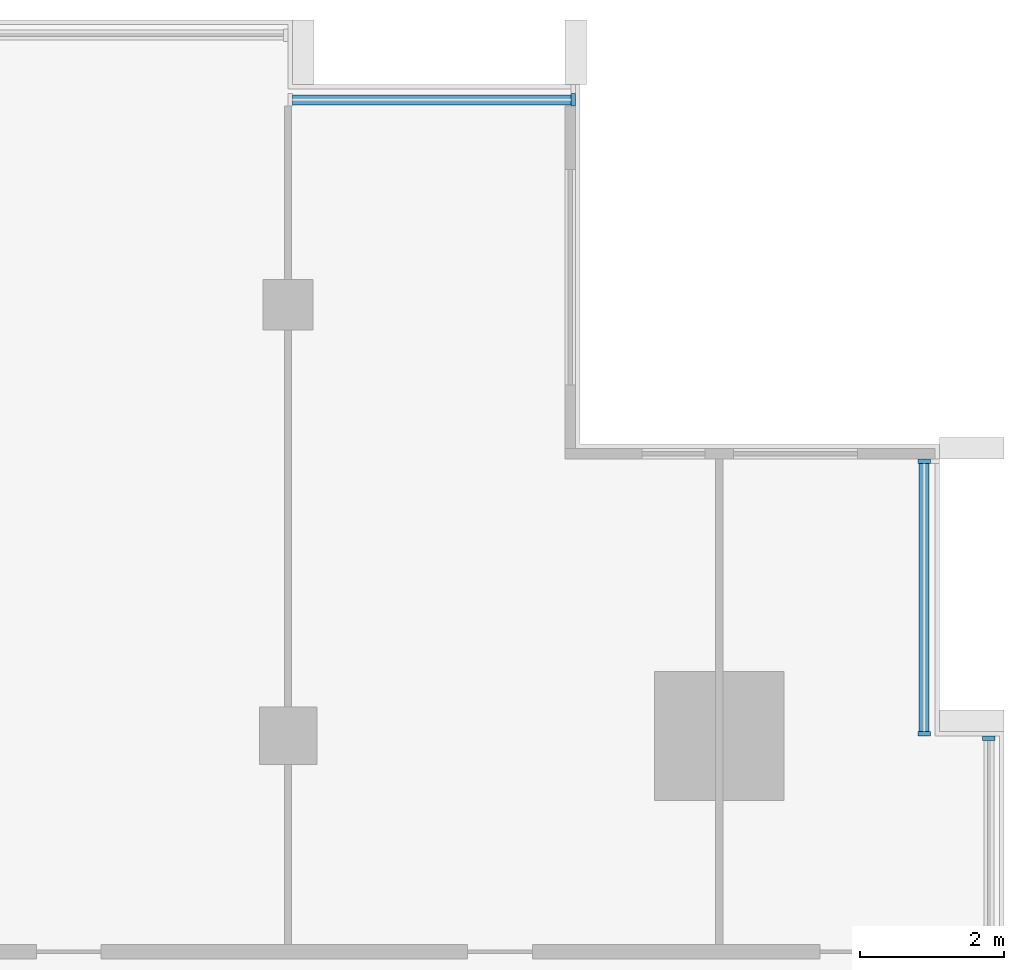
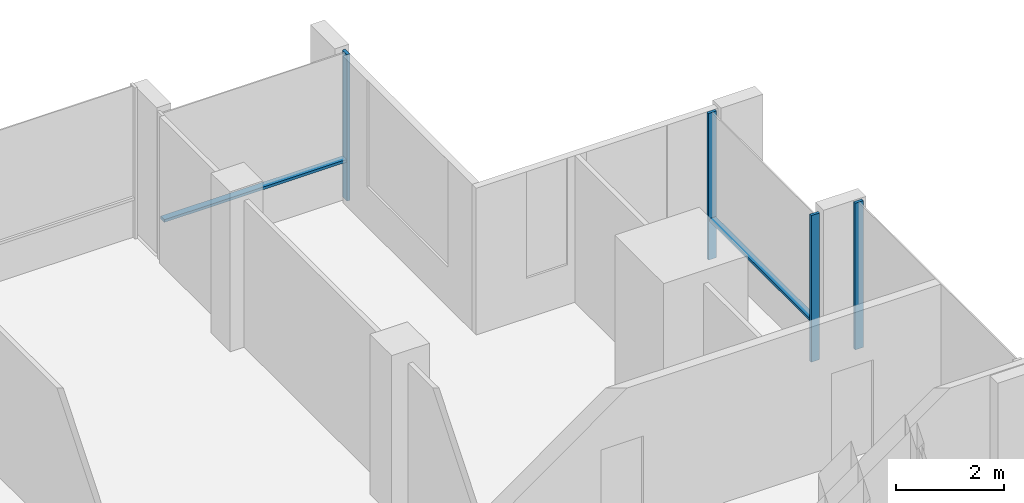
# One storey, part 5 of 15: 6 members, 3 elements without a shape of their own.
"""IFC4 building model written with IfcOpenShell, lengths in metres."""

import ifcopenshell
import ifcopenshell.guid

model = None  # the IFC model being written
_history = None  # IfcOwnerHistory: only IFC2X3 demands one
_inside = {}  # id of a spatial element -> (the spatial element, [elements in it])
_under = {}  # id of a project, library or spatial element -> (it, [spatial elements below it])
_declared = {}  # id of a project -> (the project, [libraries it declares])
_typed = {}  # id of a type object -> (the type object, [elements of that type])
_made_of = {}  # id of a material, layer set ... -> (it, [elements and type objects made of it])


def new_model(schema):
    """Start an empty IFC model of exactly this schema.

    Asked for "IFC4X3", IfcOpenShell would pick the latest addendum, in which some entities
    have other attributes; the version numbers below select the first issue.
    IFC2X3 requires an IfcOwnerHistory on every rooted entity: one is made here for all.
    """
    global model, _history
    if schema == "IFC4X3":
        model = ifcopenshell.file(schema_version=(4, 3, 0, 0))
    else:
        model = ifcopenshell.file(schema=schema)
    _inside.clear()
    _under.clear()
    _declared.clear()
    _typed.clear()
    _made_of.clear()
    _history = None
    if model.schema == "IFC2X3":
        org = make("IfcOrganization", Name="unknown")
        user = make(
            "IfcPersonAndOrganization",
            ThePerson=make("IfcPerson", FamilyName="unknown"),
            TheOrganization=org,
        )
        app = make(
            "IfcApplication",
            ApplicationDeveloper=org,
            Version="unknown",
            ApplicationFullName="unknown",
            ApplicationIdentifier="unknown",
        )
        _history = make(
            "IfcOwnerHistory",
            OwningUser=user,
            OwningApplication=app,
            ChangeAction="ADDED",
            CreationDate=0,
        )
    return model


def make(cls, **values):
    """One entity of the class cls with the attributes given. An attribute that is None is left unset."""
    return model.create_entity(
        cls, **{name: value for name, value in values.items() if value is not None}
    )


def rooted(cls, **values):
    """An entity with a GlobalId (a new one), such as an element, a storey or a relation."""
    return make(cls, GlobalId=ifcopenshell.guid.new(), OwnerHistory=_history, **values)


def si_unit(unit_type, name, prefix=None):
    """IfcSIUnit, for example si_unit("LENGTHUNIT", "METRE", prefix="MILLI")."""
    return make("IfcSIUnit", UnitType=unit_type, Prefix=prefix, Name=name)


def assignment(units):
    """IfcUnitAssignment: the units of a project."""
    return None if units is None else make("IfcUnitAssignment", Units=units)


def point(xyz):
    """IfcCartesianPoint."""
    return None if xyz is None else make("IfcCartesianPoint", Coordinates=xyz)


def direction(xyz):
    """IfcDirection."""
    return None if xyz is None else make("IfcDirection", DirectionRatios=xyz)


def frame(location, z_axis=None, x_axis=None):
    """IfcAxis2Placement3D, a coordinate frame: its origin and axes. An axis left out is left unset."""
    return make(
        "IfcAxis2Placement3D",
        Location=point(location),
        Axis=direction(z_axis),
        RefDirection=direction(x_axis),
    )


def frame_2d(location, x_axis=None):
    """IfcAxis2Placement2D, a coordinate frame in the plane: its origin and x axis."""
    return make(
        "IfcAxis2Placement2D", Location=point(location), RefDirection=direction(x_axis)
    )


def origin():
    """The frame at (0, 0, 0) with its axes left unset."""
    return frame((0.0, 0.0, 0.0))


def origin_2d():
    """The frame at (0, 0) in the plane with its x axis left unset."""
    return frame_2d((0.0, 0.0))


def place(relative_to, where):
    """IfcLocalPlacement: puts the frame where relative to a parent placement (None: the world)."""
    return make(
        "IfcLocalPlacement", PlacementRelTo=relative_to, RelativePlacement=where
    )


def context(
    kind, dimensions, precision=None, world=None, true_north=None, identifier=None
):
    """IfcGeometricRepresentationContext, for example the 3D "Model" context."""
    return make(
        "IfcGeometricRepresentationContext",
        ContextIdentifier=identifier,
        ContextType=kind,
        CoordinateSpaceDimension=dimensions,
        Precision=precision,
        WorldCoordinateSystem=world,
        TrueNorth=true_north,
    )


def subcontext(parent, identifier, kind, view, scale=None):
    """IfcGeometricRepresentationSubContext, for example "Body" below "Model"."""
    return make(
        "IfcGeometricRepresentationSubContext",
        ContextIdentifier=identifier,
        ContextType=kind,
        ParentContext=parent,
        TargetScale=scale,
        TargetView=view,
    )


def project(units=None, contexts=None):
    """IfcProject with its units and contexts."""
    return rooted(
        "IfcProject",
        Name="project",
        RepresentationContexts=contexts,
        UnitsInContext=assignment(units),
    )


def spatial(cls, under=None, at=None, **own):
    """A site, building, storey or space (cls), placed at a placement, below another one or the project."""
    s = rooted(cls, ObjectPlacement=at, **own)
    if under is not None:
        _under.setdefault(under.id(), (under, []))[1].append(s)
    return s


def profile(cls, at=None, kind="AREA", **sizes):
    """A parametric profile (cls). Its sizes go by their IFC names, for example OverallWidth=200.0."""
    return make(cls, ProfileType=kind, Position=at, **sizes)


def rectangle(**sizes):
    """IfcRectangleProfileDef."""
    return profile("IfcRectangleProfileDef", **sizes)


def extrude(swept, where, along, depth):
    """IfcExtrudedAreaSolid: the profile swept, set in the frame where, extruded along a direction by depth."""
    return make(
        "IfcExtrudedAreaSolid",
        SweptArea=swept,
        Position=where,
        ExtrudedDirection=direction(along),
        Depth=depth,
    )


def shape(context_of_items, identifier, shape_type, items):
    """IfcShapeRepresentation: the items that make up one representation, for example the "Body"."""
    return make(
        "IfcShapeRepresentation",
        ContextOfItems=context_of_items,
        RepresentationIdentifier=identifier,
        RepresentationType=shape_type,
        Items=items,
    )


def material(Name=None, Category=None):
    """IfcMaterial."""
    return make("IfcMaterial", Name=Name, Category=Category)


def material_profile(
    of_material, cross_section, Name=None, Category=None, Priority=None
):
    """IfcMaterialProfile: a cross section and its material."""
    return make(
        "IfcMaterialProfile",
        Name=Name,
        Material=of_material,
        Profile=cross_section,
        Priority=Priority,
        Category=Category,
    )


def profile_set(profiles, Name=None, composite=None):
    """IfcMaterialProfileSet."""
    return make(
        "IfcMaterialProfileSet",
        Name=Name,
        MaterialProfiles=profiles,
        CompositeProfile=composite,
    )


def made_of(thing, what):
    """Note that an element or type object is made of a material, layer set ...; save() writes the relation."""
    if what is not None:
        _made_of.setdefault(what.id(), (what, []))[1].append(thing)
    return thing


def type_object(cls, material=None, **own):
    """A type object (cls), such as IfcWallType, which elements share."""
    return made_of(rooted(cls, **own), material)


def element(
    cls,
    number,
    at=None,
    inside=None,
    cuts=None,
    type_object=None,
    material=None,
    context=None,
    identifier="Body",
    shape_type=None,
    held_by="IfcProductDefinitionShape",
    body=None,
    shapes=None,
    **own,
):
    """One element of the class cls, such as IfcWall. Its Tag is "e" and its number.

    at: its placement. inside: the storey or other place that contains it. cuts: it is an
    opening in that element (IfcRelVoidsElement). A single representation is given by context,
    identifier, shape_type and body (its items); several are given by shapes. held_by: the class
    of the entity that holds the representations. save() writes the other relations.
    """
    e = rooted(cls, Tag="e%d" % number, ObjectPlacement=at, **own)
    if body is not None:
        shapes = [shape(context, identifier, shape_type, body)]
    if shapes is not None:
        e.Representation = make(held_by, Representations=shapes)
    if inside is not None:
        _inside.setdefault(inside.id(), (inside, []))[1].append(e)
    if cuts is not None:
        rooted(
            "IfcRelVoidsElement", RelatingBuildingElement=cuts, RelatedOpeningElement=e
        )
    if type_object is not None:
        _typed.setdefault(type_object.id(), (type_object, []))[1].append(e)
    return made_of(e, material)


def aggregate(whole, parts):
    """IfcRelAggregates: a whole, such as a stair, and the parts it consists of."""
    return rooted("IfcRelAggregates", RelatingObject=whole, RelatedObjects=parts)


def save(model, path):
    """Write the relations noted so far, then the file.

    IfcRelAggregates (storeys below a building ...), IfcRelContainedInSpatialStructure (elements
    in a storey), IfcRelDefinesByType, IfcRelAssociatesMaterial and IfcRelDeclares: one each for
    every whole, place, type object, material and project.
    """
    for whole, parts in _under.values():
        aggregate(whole, parts)
    for where, things in _inside.values():
        rooted(
            "IfcRelContainedInSpatialStructure",
            RelatedElements=things,
            RelatingStructure=where,
        )
    for kind, things in _typed.values():
        rooted("IfcRelDefinesByType", RelatedObjects=things, RelatingType=kind)
    for what, things in _made_of.values():
        rooted("IfcRelAssociatesMaterial", RelatedObjects=things, RelatingMaterial=what)
    for by, libraries in _declared.values():
        rooted("IfcRelDeclares", RelatingContext=by, RelatedDefinitions=libraries)
    model.write(path)


model = new_model("IFC4")

# Units and contexts
model_context = context("Model", 3, precision=1e-05, world=origin(), true_north=direction((0.0, 1.0)))
body_context = subcontext(model_context, "Body", "Model", "MODEL_VIEW")
ifc_project = project(units=[si_unit("LENGTHUNIT", "METRE"), si_unit("AREAUNIT", "SQUARE_METRE"), si_unit("VOLUMEUNIT", "CUBIC_METRE"), si_unit("PLANEANGLEUNIT", "RADIAN"), si_unit("MASSUNIT", "GRAM", prefix="KILO")], contexts=[model_context])

# Site, building, storey
site_placement = place(None, origin())
site = spatial("IfcSite", under=ifc_project, at=site_placement, CompositionType="ELEMENT")
building_placement = place(site_placement, origin())
building = spatial("IfcBuilding", under=site, at=building_placement, Name="Finial Court Residences", CompositionType="ELEMENT")
storey_placement = place(building_placement, frame((0.0, 0.0, 269.89990234375)))
storey = spatial("IfcBuildingStorey", under=building, at=storey_placement, Name="L68", CompositionType="ELEMENT", Elevation=269.89990234375)

# Curtain wall, member
ifc_material = material(Name="Bronze anodised aluminium", Category="aluminium")
curtain_wall_type = type_object("IfcCurtainWallType", Name="Unitised curtain wall, upper zones", PredefinedType="NOTDEFINED", material=ifc_material)
curtain_wall_1_placement = place(storey_placement, origin())
curtain_wall_1 = element("IfcCurtainWall", 1, at=curtain_wall_1_placement, inside=storey, type_object=curtain_wall_type, Name="E-L68-CW-N4", PredefinedType="NOTDEFINED")
ifc_material_profile_1 = material_profile(ifc_material, rectangle(XDim=0.175048828125, YDim=0.06005859375, at=origin_2d()), Name="CW2 mullion 60 x 175")
ifc_profile_set_1 = profile_set([ifc_material_profile_1], Name="Bronze anodised aluminium")
member_type_1 = type_object("IfcMemberType", Name="CW2 mullion 60 x 175", PredefinedType="MULLION", material=ifc_profile_set_1)
member_1_placement = place(storey_placement, frame((14.469970703125, 16.35009765625, 0.0), z_axis=(0.0, 0.0, 1.0), x_axis=(0.0, 1.0, 0.0)))
member_1 = element("IfcMember", 2, at=member_1_placement, type_object=member_type_1, Name="CW2 mullion 2", PredefinedType="MULLION", context=body_context, shape_type="SweptSolid", body=[
    extrude(rectangle(XDim=0.175048828125, YDim=0.06005859375, at=origin_2d()), origin(), (0.0, 0.0, 1.0), 3.300048828125),
])

curtain_wall_2_placement = place(storey_placement, origin())
curtain_wall_2 = element("IfcCurtainWall", 3, at=curtain_wall_2_placement, inside=storey, type_object=curtain_wall_type, Name="E-L68-CW-E6", PredefinedType="NOTDEFINED")
member_2_placement = place(storey_placement, frame((20.25, 7.469970703125, 0.0), z_axis=(0.0, 0.0, 1.0), x_axis=(-1.0, 0.0, 0.0)))
member_2 = element("IfcMember", 4, at=member_2_placement, type_object=member_type_1, Name="CW2 mullion 2", PredefinedType="MULLION", context=body_context, shape_type="SweptSolid", body=[
    extrude(rectangle(XDim=0.175048828125, YDim=0.06005859375, at=origin_2d()), origin(), (0.0, 0.0, 1.0), 3.300048828125),
])
aggregate(curtain_wall_2, [member_2])

# Curtain wall, members
curtain_wall_3_placement = place(storey_placement, origin())
curtain_wall_3 = element("IfcCurtainWall", 5, at=curtain_wall_3_placement, inside=storey, type_object=curtain_wall_type, Name="E-L68-CW-E7", PredefinedType="NOTDEFINED")
member_3_placement = place(storey_placement, frame((19.35009765625, 7.530029296875, 0.0), z_axis=(0.0, 0.0, 1.0), x_axis=(-1.0, 0.0, 0.0)))
member_3 = element("IfcMember", 6, at=member_3_placement, type_object=member_type_1, Name="CW2 mullion 1", PredefinedType="MULLION", context=body_context, shape_type="SweptSolid", body=[
    extrude(rectangle(XDim=0.175048828125, YDim=0.06005859375, at=origin_2d()), origin(), (0.0, 0.0, 1.0), 3.300048828125),
])
member_4_placement = place(storey_placement, frame((19.35009765625, 11.320068359375, 0.0), z_axis=(0.0, 0.0, 1.0), x_axis=(-1.0, 0.0, 0.0)))
member_4 = element("IfcMember", 7, at=member_4_placement, type_object=member_type_1, Name="CW2 mullion 2", PredefinedType="MULLION", context=body_context, shape_type="SweptSolid", body=[
    extrude(rectangle(XDim=0.175048828125, YDim=0.06005859375, at=origin_2d()), origin(), (0.0, 0.0, 1.0), 3.300048828125),
])

# Member
ifc_material_profile_2 = material_profile(ifc_material, rectangle(XDim=0.139892578125, YDim=0.06005859375, at=origin_2d()), Name="CW2 transom 60 x 140")
ifc_profile_set_2 = profile_set([ifc_material_profile_2], Name="Bronze anodised aluminium")
member_type_2 = type_object("IfcMemberType", Name="CW2 transom 60 x 140", PredefinedType="USERDEFINED", material=ifc_profile_set_2)
member_5_placement = place(storey_placement, frame((10.56005859375, 16.35009765625, 0.900146484375), z_axis=(1.0, 0.0, 0.0), x_axis=(0.0, 1.0, 0.0)))
member_5 = element("IfcMember", 8, at=member_5_placement, type_object=member_type_2, Name="CW2 transom 1.1", ObjectType="TRANSOM", PredefinedType="USERDEFINED", context=body_context, shape_type="SweptSolid", body=[
    extrude(rectangle(XDim=0.139892578125, YDim=0.06005859375, at=origin_2d()), origin(), (0.0, 0.0, 1.0), 3.8798828125),
])

aggregate(curtain_wall_1, [member_1, member_5])

member_6_placement = place(storey_placement, frame((19.35009765625, 7.56005859375, 0.900146484375), z_axis=(0.0, 1.0, 0.0), x_axis=(-1.0, 0.0, 0.0)))
member_6 = element("IfcMember", 9, at=member_6_placement, type_object=member_type_2, Name="CW2 transom 1.1", ObjectType="TRANSOM", PredefinedType="USERDEFINED", context=body_context, shape_type="SweptSolid", body=[
    extrude(rectangle(XDim=0.139892578125, YDim=0.06005859375, at=origin_2d()), origin(), (0.0, 0.0, 1.0), 3.72998046875),
])

aggregate(curtain_wall_3, [member_3, member_4, member_6])

save(model, "model.ifc")
